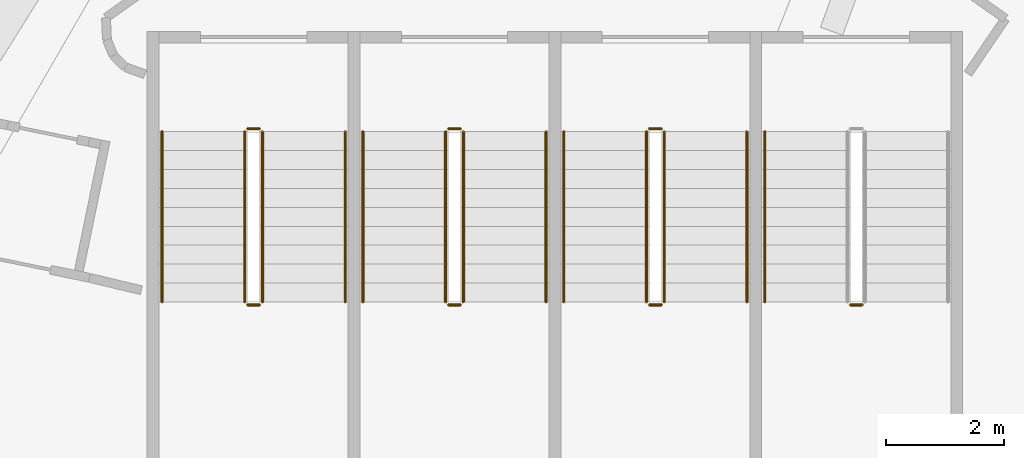
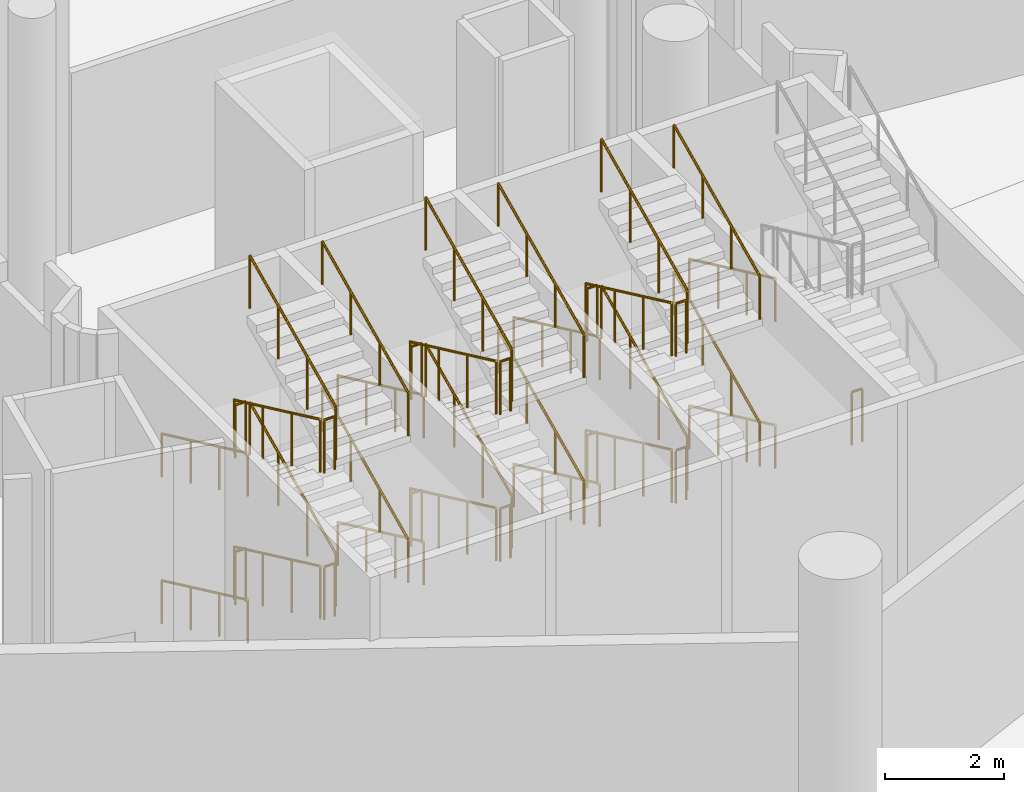
# One storey, part 205 of 249: 39 railings.
"""IFC4 building model written with IfcOpenShell, lengths in metres."""

from ifc_helpers import new_model, si_unit, direction, frame, origin, origin_2d, place, context, subcontext, project, spatial, circle, extrude, material, type_object, element, save


model = new_model("IFC4")

# Units and contexts
model_context = context("Model", 3, precision=1e-05, world=origin(), true_north=direction((0.0, 1.0)))
body_context = subcontext(model_context, "Body", "Model", "MODEL_VIEW")
ifc_project = project(units=[si_unit("LENGTHUNIT", "METRE"), si_unit("AREAUNIT", "SQUARE_METRE"), si_unit("VOLUMEUNIT", "CUBIC_METRE"), si_unit("PLANEANGLEUNIT", "RADIAN"), si_unit("MASSUNIT", "GRAM", prefix="KILO")], contexts=[model_context])

# Site, building, storey
site_placement = place(None, origin())
site = spatial("IfcSite", under=ifc_project, at=site_placement, CompositionType="ELEMENT")
building_placement = place(site_placement, origin())
building = spatial("IfcBuilding", under=site, at=building_placement, Name="Meseta Stadium", CompositionType="ELEMENT")
storey_placement = place(building_placement, frame((0.0, 0.0, 12.0)))
storey = spatial("IfcBuildingStorey", under=building, at=storey_placement, Name="L02", CompositionType="ELEMENT", Elevation=12.0)

# Railings
ifc_material_1 = material(Name="Steel S355", Category="steel")
railing_type_1 = type_object("IfcRailingType", Name="Stair guard 1100", PredefinedType="GUARDRAIL", material=ifc_material_1)
railing_1_placement = place(storey_placement, frame((-43.583251953125, -94.199951171875, 0.14990234375)))
element("IfcRailing", 1, at=railing_1_placement, inside=storey, type_object=railing_type_1, Name="ST89 L02 guard 1", PredefinedType="GUARDRAIL", context=body_context, shape_type="SweptSolid", body=[
    extrude(circle(Radius=0.02392578125, at=origin_2d()), frame((0.0, 0.0, 1.076171875), z_axis=(0.0, -0.905454327043, 0.424443708447), x_axis=(1.0, 0.0, 0.0)), (0.0, 0.0, 1.0), 3.180908203125),
    extrude(circle(Radius=0.02099609375, at=origin_2d()), origin(), (0.0, 0.0, 1.0), 1.052001953125),
    extrude(circle(Radius=0.02099609375, at=origin_2d()), frame((0.0, -0.9599609375, 0.449951171875)), (0.0, 0.0, 1.0), 1.052001953125),
    extrude(circle(Radius=0.02099609375, at=origin_2d()), frame((0.0, -1.920166015625, 0.900146484375)), (0.0, 0.0, 1.0), 1.052001953125),
    extrude(circle(Radius=0.02099609375, at=origin_2d()), frame((0.0, -2.880126953125, 1.35009765625)), (0.0, 0.0, 1.0), 1.052001953125),
])
railing_2_placement = place(storey_placement, frame((-43.533447265625, -97.1298828125, 1.5)))
element("IfcRailing", 2, at=railing_2_placement, inside=storey, type_object=railing_type_1, Name="ST89 L02 guard 2", PredefinedType="GUARDRAIL", context=body_context, shape_type="SweptSolid", body=[
    extrude(circle(Radius=0.02392578125, at=origin_2d()), frame((0.0, 0.0, 1.076171875), z_axis=(1.0, 0.0, 0.0), x_axis=(0.0, 1.0, 0.0)), (0.0, 0.0, 1.0), 0.2001953125),
    extrude(circle(Radius=0.02099609375, at=origin_2d()), origin(), (0.0, 0.0, 1.0), 1.052001953125),
    extrude(circle(Radius=0.02099609375, at=origin_2d()), frame((0.2001953125, 0.0, 0.0)), (0.0, 0.0, 1.0), 1.052001953125),
])
railing_3_placement = place(storey_placement, frame((-43.283447265625, -97.080078125, 1.64990234375)))
element("IfcRailing", 3, at=railing_3_placement, inside=storey, type_object=railing_type_1, Name="ST89 L02 guard 3", PredefinedType="GUARDRAIL", context=body_context, shape_type="SweptSolid", body=[
    extrude(circle(Radius=0.02392578125, at=origin_2d()), frame((0.0, 0.0, 1.076171875), z_axis=(0.0, 0.905454327043, 0.424443708447), x_axis=(-1.0, 0.0, 0.0)), (0.0, 0.0, 1.0), 3.180908203125),
    extrude(circle(Radius=0.02099609375, at=origin_2d()), origin(), (0.0, 0.0, 1.0), 1.052001953125),
    extrude(circle(Radius=0.02099609375, at=origin_2d()), frame((0.0, 0.9599609375, 0.449951171875)), (0.0, 0.0, 1.0), 1.052001953125),
    extrude(circle(Radius=0.02099609375, at=origin_2d()), frame((0.0, 1.920166015625, 0.900146484375)), (0.0, 0.0, 1.0), 1.052001953125),
    extrude(circle(Radius=0.02099609375, at=origin_2d()), frame((0.0, 2.880126953125, 1.35009765625)), (0.0, 0.0, 1.0), 1.052001953125),
])
railing_4_placement = place(storey_placement, frame((-43.533447265625, -94.14990234375, 3.0)))
element("IfcRailing", 4, at=railing_4_placement, inside=storey, type_object=railing_type_1, Name="ST89 L02 guard 4", PredefinedType="GUARDRAIL", context=body_context, shape_type="SweptSolid", body=[
    extrude(circle(Radius=0.02392578125, at=origin_2d()), frame((0.0, 0.0, 1.076171875), z_axis=(1.0, 0.0, 0.0), x_axis=(0.0, 1.0, 0.0)), (0.0, 0.0, 1.0), 0.2001953125),
    extrude(circle(Radius=0.02099609375, at=origin_2d()), origin(), (0.0, 0.0, 1.0), 1.052001953125),
    extrude(circle(Radius=0.02099609375, at=origin_2d()), frame((0.2001953125, 0.0, 0.0)), (0.0, 0.0, 1.0), 1.052001953125),
])
railing_5_placement = place(storey_placement, frame((-43.583251953125, -94.199951171875, 3.14990234375)))
element("IfcRailing", 5, at=railing_5_placement, inside=storey, type_object=railing_type_1, Name="ST89 L02 guard 5", PredefinedType="GUARDRAIL", context=body_context, shape_type="SweptSolid", body=[
    extrude(circle(Radius=0.02392578125, at=origin_2d()), frame((0.0, 0.0, 1.076171875), z_axis=(0.0, -0.905454327043, 0.424443708447), x_axis=(1.0, 0.0, 0.0)), (0.0, 0.0, 1.0), 3.180908203125),
    extrude(circle(Radius=0.02099609375, at=origin_2d()), origin(), (0.0, 0.0, 1.0), 1.052001953125),
    extrude(circle(Radius=0.02099609375, at=origin_2d()), frame((0.0, -0.9599609375, 0.449951171875)), (0.0, 0.0, 1.0), 1.052001953125),
    extrude(circle(Radius=0.02099609375, at=origin_2d()), frame((0.0, -1.920166015625, 0.900146484375)), (0.0, 0.0, 1.0), 1.052001953125),
    extrude(circle(Radius=0.02099609375, at=origin_2d()), frame((0.0, -2.880126953125, 1.35009765625)), (0.0, 0.0, 1.0), 1.052001953125),
])
railing_6_placement = place(storey_placement, frame((-43.533447265625, -97.1298828125, 4.5)))
element("IfcRailing", 6, at=railing_6_placement, inside=storey, type_object=railing_type_1, Name="ST89 L02 guard 6", PredefinedType="GUARDRAIL", context=body_context, shape_type="SweptSolid", body=[
    extrude(circle(Radius=0.02392578125, at=origin_2d()), frame((0.0, 0.0, 1.076171875), z_axis=(1.0, 0.0, 0.0), x_axis=(0.0, 1.0, 0.0)), (0.0, 0.0, 1.0), 0.2001953125),
    extrude(circle(Radius=0.02099609375, at=origin_2d()), origin(), (0.0, 0.0, 1.0), 1.052001953125),
    extrude(circle(Radius=0.02099609375, at=origin_2d()), frame((0.2001953125, 0.0, 0.0)), (0.0, 0.0, 1.0), 1.052001953125),
])
railing_7_placement = place(storey_placement, frame((-43.283447265625, -97.080078125, 4.64990234375)))
element("IfcRailing", 7, at=railing_7_placement, inside=storey, type_object=railing_type_1, Name="ST89 L02 guard 7", PredefinedType="GUARDRAIL", context=body_context, shape_type="SweptSolid", body=[
    extrude(circle(Radius=0.02392578125, at=origin_2d()), frame((0.0, 0.0, 1.076171875), z_axis=(0.0, 0.905454327043, 0.424443708447), x_axis=(-1.0, 0.0, 0.0)), (0.0, 0.0, 1.0), 3.180908203125),
    extrude(circle(Radius=0.02099609375, at=origin_2d()), origin(), (0.0, 0.0, 1.0), 1.052001953125),
    extrude(circle(Radius=0.02099609375, at=origin_2d()), frame((0.0, 0.9599609375, 0.449951171875)), (0.0, 0.0, 1.0), 1.052001953125),
    extrude(circle(Radius=0.02099609375, at=origin_2d()), frame((0.0, 1.920166015625, 0.900146484375)), (0.0, 0.0, 1.0), 1.052001953125),
    extrude(circle(Radius=0.02099609375, at=origin_2d()), frame((0.0, 2.880126953125, 1.35009765625)), (0.0, 0.0, 1.0), 1.052001953125),
])
railing_8_placement = place(storey_placement, frame((-43.533447265625, -94.14990234375, 0.0)))
element("IfcRailing", 8, at=railing_8_placement, inside=storey, type_object=railing_type_1, Name="ST89 L02 guard 8", PredefinedType="GUARDRAIL", context=body_context, shape_type="SweptSolid", body=[
    extrude(circle(Radius=0.02392578125, at=origin_2d()), frame((0.0, 0.0, 1.076171875), z_axis=(1.0, 0.0, 0.0), x_axis=(0.0, 1.0, 0.0)), (0.0, 0.0, 1.0), 0.2001953125),
    extrude(circle(Radius=0.02099609375, at=origin_2d()), origin(), (0.0, 0.0, 1.0), 1.052001953125),
    extrude(circle(Radius=0.02099609375, at=origin_2d()), frame((0.2001953125, 0.0, 0.0)), (0.0, 0.0, 1.0), 1.052001953125),
])
railing_9_placement = place(storey_placement, frame((-40.183349609375, -94.199951171875, 0.14990234375)))
element("IfcRailing", 9, at=railing_9_placement, inside=storey, type_object=railing_type_1, Name="ST90 L02 guard 1", PredefinedType="GUARDRAIL", context=body_context, shape_type="SweptSolid", body=[
    extrude(circle(Radius=0.02392578125, at=origin_2d()), frame((0.0, 0.0, 1.076171875), z_axis=(0.0, -0.905454327043, 0.424443708447), x_axis=(1.0, 0.0, 0.0)), (0.0, 0.0, 1.0), 3.180908203125),
    extrude(circle(Radius=0.02099609375, at=origin_2d()), origin(), (0.0, 0.0, 1.0), 1.052001953125),
    extrude(circle(Radius=0.02099609375, at=origin_2d()), frame((0.0, -0.9599609375, 0.449951171875)), (0.0, 0.0, 1.0), 1.052001953125),
    extrude(circle(Radius=0.02099609375, at=origin_2d()), frame((0.0, -1.920166015625, 0.900146484375)), (0.0, 0.0, 1.0), 1.052001953125),
    extrude(circle(Radius=0.02099609375, at=origin_2d()), frame((0.0, -2.880126953125, 1.35009765625)), (0.0, 0.0, 1.0), 1.052001953125),
])
railing_10_placement = place(storey_placement, frame((-40.13330078125, -97.1298828125, 1.5)))
element("IfcRailing", 10, at=railing_10_placement, inside=storey, type_object=railing_type_1, Name="ST90 L02 guard 2", PredefinedType="GUARDRAIL", context=body_context, shape_type="SweptSolid", body=[
    extrude(circle(Radius=0.02392578125, at=origin_2d()), frame((0.0, 0.0, 1.076171875), z_axis=(1.0, 0.0, 0.0), x_axis=(0.0, 1.0, 0.0)), (0.0, 0.0, 1.0), 0.199951171875),
    extrude(circle(Radius=0.02099609375, at=origin_2d()), origin(), (0.0, 0.0, 1.0), 1.052001953125),
    extrude(circle(Radius=0.02099609375, at=origin_2d()), frame((0.199951171875, 0.0, 0.0)), (0.0, 0.0, 1.0), 1.052001953125),
])
railing_11_placement = place(storey_placement, frame((-39.88330078125, -97.080078125, 1.64990234375)))
element("IfcRailing", 11, at=railing_11_placement, inside=storey, type_object=railing_type_1, Name="ST90 L02 guard 3", PredefinedType="GUARDRAIL", context=body_context, shape_type="SweptSolid", body=[
    extrude(circle(Radius=0.02392578125, at=origin_2d()), frame((0.0, 0.0, 1.076171875), z_axis=(0.0, 0.905454327043, 0.424443708447), x_axis=(-1.0, 0.0, 0.0)), (0.0, 0.0, 1.0), 3.180908203125),
    extrude(circle(Radius=0.02099609375, at=origin_2d()), origin(), (0.0, 0.0, 1.0), 1.052001953125),
    extrude(circle(Radius=0.02099609375, at=origin_2d()), frame((0.0, 0.9599609375, 0.449951171875)), (0.0, 0.0, 1.0), 1.052001953125),
    extrude(circle(Radius=0.02099609375, at=origin_2d()), frame((0.0, 1.920166015625, 0.900146484375)), (0.0, 0.0, 1.0), 1.052001953125),
    extrude(circle(Radius=0.02099609375, at=origin_2d()), frame((0.0, 2.880126953125, 1.35009765625)), (0.0, 0.0, 1.0), 1.052001953125),
])
railing_12_placement = place(storey_placement, frame((-40.13330078125, -94.14990234375, 3.0)))
element("IfcRailing", 12, at=railing_12_placement, inside=storey, type_object=railing_type_1, Name="ST90 L02 guard 4", PredefinedType="GUARDRAIL", context=body_context, shape_type="SweptSolid", body=[
    extrude(circle(Radius=0.02392578125, at=origin_2d()), frame((0.0, 0.0, 1.076171875), z_axis=(1.0, 0.0, 0.0), x_axis=(0.0, 1.0, 0.0)), (0.0, 0.0, 1.0), 0.199951171875),
    extrude(circle(Radius=0.02099609375, at=origin_2d()), origin(), (0.0, 0.0, 1.0), 1.052001953125),
    extrude(circle(Radius=0.02099609375, at=origin_2d()), frame((0.199951171875, 0.0, 0.0)), (0.0, 0.0, 1.0), 1.052001953125),
])
railing_13_placement = place(storey_placement, frame((-40.183349609375, -94.199951171875, 3.14990234375)))
element("IfcRailing", 13, at=railing_13_placement, inside=storey, type_object=railing_type_1, Name="ST90 L02 guard 5", PredefinedType="GUARDRAIL", context=body_context, shape_type="SweptSolid", body=[
    extrude(circle(Radius=0.02392578125, at=origin_2d()), frame((0.0, 0.0, 1.076171875), z_axis=(0.0, -0.905454327043, 0.424443708447), x_axis=(1.0, 0.0, 0.0)), (0.0, 0.0, 1.0), 3.180908203125),
    extrude(circle(Radius=0.02099609375, at=origin_2d()), origin(), (0.0, 0.0, 1.0), 1.052001953125),
    extrude(circle(Radius=0.02099609375, at=origin_2d()), frame((0.0, -0.9599609375, 0.449951171875)), (0.0, 0.0, 1.0), 1.052001953125),
    extrude(circle(Radius=0.02099609375, at=origin_2d()), frame((0.0, -1.920166015625, 0.900146484375)), (0.0, 0.0, 1.0), 1.052001953125),
    extrude(circle(Radius=0.02099609375, at=origin_2d()), frame((0.0, -2.880126953125, 1.35009765625)), (0.0, 0.0, 1.0), 1.052001953125),
])
railing_14_placement = place(storey_placement, frame((-40.13330078125, -97.1298828125, 4.5)))
element("IfcRailing", 14, at=railing_14_placement, inside=storey, type_object=railing_type_1, Name="ST90 L02 guard 6", PredefinedType="GUARDRAIL", context=body_context, shape_type="SweptSolid", body=[
    extrude(circle(Radius=0.02392578125, at=origin_2d()), frame((0.0, 0.0, 1.076171875), z_axis=(1.0, 0.0, 0.0), x_axis=(0.0, 1.0, 0.0)), (0.0, 0.0, 1.0), 0.199951171875),
    extrude(circle(Radius=0.02099609375, at=origin_2d()), origin(), (0.0, 0.0, 1.0), 1.052001953125),
    extrude(circle(Radius=0.02099609375, at=origin_2d()), frame((0.199951171875, 0.0, 0.0)), (0.0, 0.0, 1.0), 1.052001953125),
])
railing_15_placement = place(storey_placement, frame((-39.88330078125, -97.080078125, 4.64990234375)))
element("IfcRailing", 15, at=railing_15_placement, inside=storey, type_object=railing_type_1, Name="ST90 L02 guard 7", PredefinedType="GUARDRAIL", context=body_context, shape_type="SweptSolid", body=[
    extrude(circle(Radius=0.02392578125, at=origin_2d()), frame((0.0, 0.0, 1.076171875), z_axis=(0.0, 0.905454327043, 0.424443708447), x_axis=(-1.0, 0.0, 0.0)), (0.0, 0.0, 1.0), 3.180908203125),
    extrude(circle(Radius=0.02099609375, at=origin_2d()), origin(), (0.0, 0.0, 1.0), 1.052001953125),
    extrude(circle(Radius=0.02099609375, at=origin_2d()), frame((0.0, 0.9599609375, 0.449951171875)), (0.0, 0.0, 1.0), 1.052001953125),
    extrude(circle(Radius=0.02099609375, at=origin_2d()), frame((0.0, 1.920166015625, 0.900146484375)), (0.0, 0.0, 1.0), 1.052001953125),
    extrude(circle(Radius=0.02099609375, at=origin_2d()), frame((0.0, 2.880126953125, 1.35009765625)), (0.0, 0.0, 1.0), 1.052001953125),
])
railing_16_placement = place(storey_placement, frame((-40.13330078125, -94.14990234375, 0.0)))
element("IfcRailing", 16, at=railing_16_placement, inside=storey, type_object=railing_type_1, Name="ST90 L02 guard 8", PredefinedType="GUARDRAIL", context=body_context, shape_type="SweptSolid", body=[
    extrude(circle(Radius=0.02392578125, at=origin_2d()), frame((0.0, 0.0, 1.076171875), z_axis=(1.0, 0.0, 0.0), x_axis=(0.0, 1.0, 0.0)), (0.0, 0.0, 1.0), 0.199951171875),
    extrude(circle(Radius=0.02099609375, at=origin_2d()), origin(), (0.0, 0.0, 1.0), 1.052001953125),
    extrude(circle(Radius=0.02099609375, at=origin_2d()), frame((0.199951171875, 0.0, 0.0)), (0.0, 0.0, 1.0), 1.052001953125),
])
railing_17_placement = place(storey_placement, frame((-36.783447265625, -94.199951171875, 0.14990234375)))
element("IfcRailing", 17, at=railing_17_placement, inside=storey, type_object=railing_type_1, Name="ST91 L02 guard 1", PredefinedType="GUARDRAIL", context=body_context, shape_type="SweptSolid", body=[
    extrude(circle(Radius=0.02392578125, at=origin_2d()), frame((0.0, 0.0, 1.076171875), z_axis=(0.0, -0.905454327043, 0.424443708447), x_axis=(1.0, 0.0, 0.0)), (0.0, 0.0, 1.0), 3.180908203125),
    extrude(circle(Radius=0.02099609375, at=origin_2d()), origin(), (0.0, 0.0, 1.0), 1.052001953125),
    extrude(circle(Radius=0.02099609375, at=origin_2d()), frame((0.0, -0.9599609375, 0.449951171875)), (0.0, 0.0, 1.0), 1.052001953125),
    extrude(circle(Radius=0.02099609375, at=origin_2d()), frame((0.0, -1.920166015625, 0.900146484375)), (0.0, 0.0, 1.0), 1.052001953125),
    extrude(circle(Radius=0.02099609375, at=origin_2d()), frame((0.0, -2.880126953125, 1.35009765625)), (0.0, 0.0, 1.0), 1.052001953125),
])
railing_18_placement = place(storey_placement, frame((-36.7333984375, -97.1298828125, 1.5)))
element("IfcRailing", 18, at=railing_18_placement, inside=storey, type_object=railing_type_1, Name="ST91 L02 guard 2", PredefinedType="GUARDRAIL", context=body_context, shape_type="SweptSolid", body=[
    extrude(circle(Radius=0.02392578125, at=origin_2d()), frame((0.0, 0.0, 1.076171875), z_axis=(1.0, 0.0, 0.0), x_axis=(0.0, 1.0, 0.0)), (0.0, 0.0, 1.0), 0.199951171875),
    extrude(circle(Radius=0.02099609375, at=origin_2d()), origin(), (0.0, 0.0, 1.0), 1.052001953125),
    extrude(circle(Radius=0.02099609375, at=origin_2d()), frame((0.199951171875, 0.0, 0.0)), (0.0, 0.0, 1.0), 1.052001953125),
])
railing_19_placement = place(storey_placement, frame((-36.4833984375, -97.080078125, 1.64990234375)))
element("IfcRailing", 19, at=railing_19_placement, inside=storey, type_object=railing_type_1, Name="ST91 L02 guard 3", PredefinedType="GUARDRAIL", context=body_context, shape_type="SweptSolid", body=[
    extrude(circle(Radius=0.02392578125, at=origin_2d()), frame((0.0, 0.0, 1.076171875), z_axis=(0.0, 0.905454327043, 0.424443708447), x_axis=(-1.0, 0.0, 0.0)), (0.0, 0.0, 1.0), 3.180908203125),
    extrude(circle(Radius=0.02099609375, at=origin_2d()), origin(), (0.0, 0.0, 1.0), 1.052001953125),
    extrude(circle(Radius=0.02099609375, at=origin_2d()), frame((0.0, 0.9599609375, 0.449951171875)), (0.0, 0.0, 1.0), 1.052001953125),
    extrude(circle(Radius=0.02099609375, at=origin_2d()), frame((0.0, 1.920166015625, 0.900146484375)), (0.0, 0.0, 1.0), 1.052001953125),
    extrude(circle(Radius=0.02099609375, at=origin_2d()), frame((0.0, 2.880126953125, 1.35009765625)), (0.0, 0.0, 1.0), 1.052001953125),
])
railing_20_placement = place(storey_placement, frame((-36.7333984375, -94.14990234375, 3.0)))
element("IfcRailing", 20, at=railing_20_placement, inside=storey, type_object=railing_type_1, Name="ST91 L02 guard 4", PredefinedType="GUARDRAIL", context=body_context, shape_type="SweptSolid", body=[
    extrude(circle(Radius=0.02392578125, at=origin_2d()), frame((0.0, 0.0, 1.076171875), z_axis=(1.0, 0.0, 0.0), x_axis=(0.0, 1.0, 0.0)), (0.0, 0.0, 1.0), 0.199951171875),
    extrude(circle(Radius=0.02099609375, at=origin_2d()), origin(), (0.0, 0.0, 1.0), 1.052001953125),
    extrude(circle(Radius=0.02099609375, at=origin_2d()), frame((0.199951171875, 0.0, 0.0)), (0.0, 0.0, 1.0), 1.052001953125),
])
railing_21_placement = place(storey_placement, frame((-36.783447265625, -94.199951171875, 3.14990234375)))
element("IfcRailing", 21, at=railing_21_placement, inside=storey, type_object=railing_type_1, Name="ST91 L02 guard 5", PredefinedType="GUARDRAIL", context=body_context, shape_type="SweptSolid", body=[
    extrude(circle(Radius=0.02392578125, at=origin_2d()), frame((0.0, 0.0, 1.076171875), z_axis=(0.0, -0.905454327043, 0.424443708447), x_axis=(1.0, 0.0, 0.0)), (0.0, 0.0, 1.0), 3.180908203125),
    extrude(circle(Radius=0.02099609375, at=origin_2d()), origin(), (0.0, 0.0, 1.0), 1.052001953125),
    extrude(circle(Radius=0.02099609375, at=origin_2d()), frame((0.0, -0.9599609375, 0.449951171875)), (0.0, 0.0, 1.0), 1.052001953125),
    extrude(circle(Radius=0.02099609375, at=origin_2d()), frame((0.0, -1.920166015625, 0.900146484375)), (0.0, 0.0, 1.0), 1.052001953125),
    extrude(circle(Radius=0.02099609375, at=origin_2d()), frame((0.0, -2.880126953125, 1.35009765625)), (0.0, 0.0, 1.0), 1.052001953125),
])
railing_22_placement = place(storey_placement, frame((-36.7333984375, -97.1298828125, 4.5)))
element("IfcRailing", 22, at=railing_22_placement, inside=storey, type_object=railing_type_1, Name="ST91 L02 guard 6", PredefinedType="GUARDRAIL", context=body_context, shape_type="SweptSolid", body=[
    extrude(circle(Radius=0.02392578125, at=origin_2d()), frame((0.0, 0.0, 1.076171875), z_axis=(1.0, 0.0, 0.0), x_axis=(0.0, 1.0, 0.0)), (0.0, 0.0, 1.0), 0.199951171875),
    extrude(circle(Radius=0.02099609375, at=origin_2d()), origin(), (0.0, 0.0, 1.0), 1.052001953125),
    extrude(circle(Radius=0.02099609375, at=origin_2d()), frame((0.199951171875, 0.0, 0.0)), (0.0, 0.0, 1.0), 1.052001953125),
])
railing_23_placement = place(storey_placement, frame((-36.4833984375, -97.080078125, 4.64990234375)))
element("IfcRailing", 23, at=railing_23_placement, inside=storey, type_object=railing_type_1, Name="ST91 L02 guard 7", PredefinedType="GUARDRAIL", context=body_context, shape_type="SweptSolid", body=[
    extrude(circle(Radius=0.02392578125, at=origin_2d()), frame((0.0, 0.0, 1.076171875), z_axis=(0.0, 0.905454327043, 0.424443708447), x_axis=(-1.0, 0.0, 0.0)), (0.0, 0.0, 1.0), 3.180908203125),
    extrude(circle(Radius=0.02099609375, at=origin_2d()), origin(), (0.0, 0.0, 1.0), 1.052001953125),
    extrude(circle(Radius=0.02099609375, at=origin_2d()), frame((0.0, 0.9599609375, 0.449951171875)), (0.0, 0.0, 1.0), 1.052001953125),
    extrude(circle(Radius=0.02099609375, at=origin_2d()), frame((0.0, 1.920166015625, 0.900146484375)), (0.0, 0.0, 1.0), 1.052001953125),
    extrude(circle(Radius=0.02099609375, at=origin_2d()), frame((0.0, 2.880126953125, 1.35009765625)), (0.0, 0.0, 1.0), 1.052001953125),
])
for number, where, name in (
    (24, (-36.7333984375, -94.14990234375, 0.0), "ST91 L02 guard 8"),
    (25, (-33.333251953125, -97.1298828125, 1.5), "ST92 L02 guard 2"),
):
    element("IfcRailing", number, at=place(storey_placement, frame(where)), inside=storey, type_object=railing_type_1, Name=name, PredefinedType="GUARDRAIL", context=body_context, shape_type="SweptSolid", body=[
        extrude(circle(Radius=0.02392578125, at=origin_2d()), frame((0.0, 0.0, 1.076171875), z_axis=(1.0, 0.0, 0.0), x_axis=(0.0, 1.0, 0.0)), (0.0, 0.0, 1.0), 0.199951171875),
        extrude(circle(Radius=0.02099609375, at=origin_2d()), origin(), (0.0, 0.0, 1.0), 1.052001953125),
        extrude(circle(Radius=0.02099609375, at=origin_2d()), frame((0.199951171875, 0.0, 0.0)), (0.0, 0.0, 1.0), 1.052001953125),
    ])
ifc_material_2 = material(Name="Steel S355", Category="steel")
railing_type_2 = type_object("IfcRailingType", Name="Stair handrail 900", PredefinedType="HANDRAIL", material=ifc_material_2)
railing_24_placement = place(storey_placement, frame((-44.9833984375, -94.199951171875, 0.14990234375)))
element("IfcRailing", 26, at=railing_24_placement, inside=storey, type_object=railing_type_2, Name="ST89 L02 handrail 1", PredefinedType="HANDRAIL", context=body_context, shape_type="SweptSolid", body=[
    extrude(circle(Radius=0.02392578125, at=origin_2d()), frame((0.0, 0.0, 0.8759765625), z_axis=(0.0, -0.905454327043, 0.424443708447), x_axis=(1.0, 0.0, 0.0)), (0.0, 0.0, 1.0), 3.180908203125),
    extrude(circle(Radius=0.02099609375, at=origin_2d()), origin(), (0.0, 0.0, 1.0), 0.851806640625),
    extrude(circle(Radius=0.02099609375, at=origin_2d()), frame((0.0, -0.9599609375, 0.449951171875)), (0.0, 0.0, 1.0), 0.851806640625),
    extrude(circle(Radius=0.02099609375, at=origin_2d()), frame((0.0, -1.920166015625, 0.900146484375)), (0.0, 0.0, 1.0), 0.851806640625),
    extrude(circle(Radius=0.02099609375, at=origin_2d()), frame((0.0, -2.880126953125, 1.35009765625)), (0.0, 0.0, 1.0), 0.851806640625),
])
railing_25_placement = place(storey_placement, frame((-41.88330078125, -97.080078125, 1.64990234375)))
element("IfcRailing", 27, at=railing_25_placement, inside=storey, type_object=railing_type_2, Name="ST89 L02 handrail 2", PredefinedType="HANDRAIL", context=body_context, shape_type="SweptSolid", body=[
    extrude(circle(Radius=0.02392578125, at=origin_2d()), frame((0.0, 0.0, 0.8759765625), z_axis=(0.0, 0.905454327043, 0.424443708447), x_axis=(-1.0, 0.0, 0.0)), (0.0, 0.0, 1.0), 3.180908203125),
    extrude(circle(Radius=0.02099609375, at=origin_2d()), origin(), (0.0, 0.0, 1.0), 0.851806640625),
    extrude(circle(Radius=0.02099609375, at=origin_2d()), frame((0.0, 0.9599609375, 0.449951171875)), (0.0, 0.0, 1.0), 0.851806640625),
    extrude(circle(Radius=0.02099609375, at=origin_2d()), frame((0.0, 1.920166015625, 0.900146484375)), (0.0, 0.0, 1.0), 0.851806640625),
    extrude(circle(Radius=0.02099609375, at=origin_2d()), frame((0.0, 2.880126953125, 1.35009765625)), (0.0, 0.0, 1.0), 0.851806640625),
])
railing_26_placement = place(storey_placement, frame((-44.9833984375, -94.199951171875, 3.14990234375)))
element("IfcRailing", 28, at=railing_26_placement, inside=storey, type_object=railing_type_2, Name="ST89 L02 handrail 3", PredefinedType="HANDRAIL", context=body_context, shape_type="SweptSolid", body=[
    extrude(circle(Radius=0.02392578125, at=origin_2d()), frame((0.0, 0.0, 0.8759765625), z_axis=(0.0, -0.905454327043, 0.424443708447), x_axis=(1.0, 0.0, 0.0)), (0.0, 0.0, 1.0), 3.180908203125),
    extrude(circle(Radius=0.02099609375, at=origin_2d()), origin(), (0.0, 0.0, 1.0), 0.851806640625),
    extrude(circle(Radius=0.02099609375, at=origin_2d()), frame((0.0, -0.9599609375, 0.449951171875)), (0.0, 0.0, 1.0), 0.851806640625),
    extrude(circle(Radius=0.02099609375, at=origin_2d()), frame((0.0, -1.920166015625, 0.900146484375)), (0.0, 0.0, 1.0), 0.851806640625),
    extrude(circle(Radius=0.02099609375, at=origin_2d()), frame((0.0, -2.880126953125, 1.35009765625)), (0.0, 0.0, 1.0), 0.851806640625),
])
railing_27_placement = place(storey_placement, frame((-41.88330078125, -97.080078125, 4.64990234375)))
element("IfcRailing", 29, at=railing_27_placement, inside=storey, type_object=railing_type_2, Name="ST89 L02 handrail 4", PredefinedType="HANDRAIL", context=body_context, shape_type="SweptSolid", body=[
    extrude(circle(Radius=0.02392578125, at=origin_2d()), frame((0.0, 0.0, 0.8759765625), z_axis=(0.0, 0.905454327043, 0.424443708447), x_axis=(-1.0, 0.0, 0.0)), (0.0, 0.0, 1.0), 3.180908203125),
    extrude(circle(Radius=0.02099609375, at=origin_2d()), origin(), (0.0, 0.0, 1.0), 0.851806640625),
    extrude(circle(Radius=0.02099609375, at=origin_2d()), frame((0.0, 0.9599609375, 0.449951171875)), (0.0, 0.0, 1.0), 0.851806640625),
    extrude(circle(Radius=0.02099609375, at=origin_2d()), frame((0.0, 1.920166015625, 0.900146484375)), (0.0, 0.0, 1.0), 0.851806640625),
    extrude(circle(Radius=0.02099609375, at=origin_2d()), frame((0.0, 2.880126953125, 1.35009765625)), (0.0, 0.0, 1.0), 0.851806640625),
])
railing_28_placement = place(storey_placement, frame((-41.583251953125, -94.199951171875, 0.14990234375)))
element("IfcRailing", 30, at=railing_28_placement, inside=storey, type_object=railing_type_2, Name="ST90 L02 handrail 1", PredefinedType="HANDRAIL", context=body_context, shape_type="SweptSolid", body=[
    extrude(circle(Radius=0.02392578125, at=origin_2d()), frame((0.0, 0.0, 0.8759765625), z_axis=(0.0, -0.905454327043, 0.424443708447), x_axis=(1.0, 0.0, 0.0)), (0.0, 0.0, 1.0), 3.180908203125),
    extrude(circle(Radius=0.02099609375, at=origin_2d()), origin(), (0.0, 0.0, 1.0), 0.851806640625),
    extrude(circle(Radius=0.02099609375, at=origin_2d()), frame((0.0, -0.9599609375, 0.449951171875)), (0.0, 0.0, 1.0), 0.851806640625),
    extrude(circle(Radius=0.02099609375, at=origin_2d()), frame((0.0, -1.920166015625, 0.900146484375)), (0.0, 0.0, 1.0), 0.851806640625),
    extrude(circle(Radius=0.02099609375, at=origin_2d()), frame((0.0, -2.880126953125, 1.35009765625)), (0.0, 0.0, 1.0), 0.851806640625),
])
railing_29_placement = place(storey_placement, frame((-38.4833984375, -97.080078125, 1.64990234375)))
element("IfcRailing", 31, at=railing_29_placement, inside=storey, type_object=railing_type_2, Name="ST90 L02 handrail 2", PredefinedType="HANDRAIL", context=body_context, shape_type="SweptSolid", body=[
    extrude(circle(Radius=0.02392578125, at=origin_2d()), frame((0.0, 0.0, 0.8759765625), z_axis=(0.0, 0.905454327043, 0.424443708447), x_axis=(-1.0, 0.0, 0.0)), (0.0, 0.0, 1.0), 3.180908203125),
    extrude(circle(Radius=0.02099609375, at=origin_2d()), origin(), (0.0, 0.0, 1.0), 0.851806640625),
    extrude(circle(Radius=0.02099609375, at=origin_2d()), frame((0.0, 0.9599609375, 0.449951171875)), (0.0, 0.0, 1.0), 0.851806640625),
    extrude(circle(Radius=0.02099609375, at=origin_2d()), frame((0.0, 1.920166015625, 0.900146484375)), (0.0, 0.0, 1.0), 0.851806640625),
    extrude(circle(Radius=0.02099609375, at=origin_2d()), frame((0.0, 2.880126953125, 1.35009765625)), (0.0, 0.0, 1.0), 0.851806640625),
])
railing_30_placement = place(storey_placement, frame((-41.583251953125, -94.199951171875, 3.14990234375)))
element("IfcRailing", 32, at=railing_30_placement, inside=storey, type_object=railing_type_2, Name="ST90 L02 handrail 3", PredefinedType="HANDRAIL", context=body_context, shape_type="SweptSolid", body=[
    extrude(circle(Radius=0.02392578125, at=origin_2d()), frame((0.0, 0.0, 0.8759765625), z_axis=(0.0, -0.905454327043, 0.424443708447), x_axis=(1.0, 0.0, 0.0)), (0.0, 0.0, 1.0), 3.180908203125),
    extrude(circle(Radius=0.02099609375, at=origin_2d()), origin(), (0.0, 0.0, 1.0), 0.851806640625),
    extrude(circle(Radius=0.02099609375, at=origin_2d()), frame((0.0, -0.9599609375, 0.449951171875)), (0.0, 0.0, 1.0), 0.851806640625),
    extrude(circle(Radius=0.02099609375, at=origin_2d()), frame((0.0, -1.920166015625, 0.900146484375)), (0.0, 0.0, 1.0), 0.851806640625),
    extrude(circle(Radius=0.02099609375, at=origin_2d()), frame((0.0, -2.880126953125, 1.35009765625)), (0.0, 0.0, 1.0), 0.851806640625),
])
railing_31_placement = place(storey_placement, frame((-38.4833984375, -97.080078125, 4.64990234375)))
element("IfcRailing", 33, at=railing_31_placement, inside=storey, type_object=railing_type_2, Name="ST90 L02 handrail 4", PredefinedType="HANDRAIL", context=body_context, shape_type="SweptSolid", body=[
    extrude(circle(Radius=0.02392578125, at=origin_2d()), frame((0.0, 0.0, 0.8759765625), z_axis=(0.0, 0.905454327043, 0.424443708447), x_axis=(-1.0, 0.0, 0.0)), (0.0, 0.0, 1.0), 3.180908203125),
    extrude(circle(Radius=0.02099609375, at=origin_2d()), origin(), (0.0, 0.0, 1.0), 0.851806640625),
    extrude(circle(Radius=0.02099609375, at=origin_2d()), frame((0.0, 0.9599609375, 0.449951171875)), (0.0, 0.0, 1.0), 0.851806640625),
    extrude(circle(Radius=0.02099609375, at=origin_2d()), frame((0.0, 1.920166015625, 0.900146484375)), (0.0, 0.0, 1.0), 0.851806640625),
    extrude(circle(Radius=0.02099609375, at=origin_2d()), frame((0.0, 2.880126953125, 1.35009765625)), (0.0, 0.0, 1.0), 0.851806640625),
])
railing_32_placement = place(storey_placement, frame((-38.183349609375, -94.199951171875, 0.14990234375)))
element("IfcRailing", 34, at=railing_32_placement, inside=storey, type_object=railing_type_2, Name="ST91 L02 handrail 1", PredefinedType="HANDRAIL", context=body_context, shape_type="SweptSolid", body=[
    extrude(circle(Radius=0.02392578125, at=origin_2d()), frame((0.0, 0.0, 0.8759765625), z_axis=(0.0, -0.905454327043, 0.424443708447), x_axis=(1.0, 0.0, 0.0)), (0.0, 0.0, 1.0), 3.180908203125),
    extrude(circle(Radius=0.02099609375, at=origin_2d()), origin(), (0.0, 0.0, 1.0), 0.851806640625),
    extrude(circle(Radius=0.02099609375, at=origin_2d()), frame((0.0, -0.9599609375, 0.449951171875)), (0.0, 0.0, 1.0), 0.851806640625),
    extrude(circle(Radius=0.02099609375, at=origin_2d()), frame((0.0, -1.920166015625, 0.900146484375)), (0.0, 0.0, 1.0), 0.851806640625),
    extrude(circle(Radius=0.02099609375, at=origin_2d()), frame((0.0, -2.880126953125, 1.35009765625)), (0.0, 0.0, 1.0), 0.851806640625),
])
railing_33_placement = place(storey_placement, frame((-35.083251953125, -97.080078125, 1.64990234375)))
element("IfcRailing", 35, at=railing_33_placement, inside=storey, type_object=railing_type_2, Name="ST91 L02 handrail 2", PredefinedType="HANDRAIL", context=body_context, shape_type="SweptSolid", body=[
    extrude(circle(Radius=0.02392578125, at=origin_2d()), frame((0.0, 0.0, 0.8759765625), z_axis=(0.0, 0.905454327043, 0.424443708447), x_axis=(-1.0, 0.0, 0.0)), (0.0, 0.0, 1.0), 3.180908203125),
    extrude(circle(Radius=0.02099609375, at=origin_2d()), origin(), (0.0, 0.0, 1.0), 0.851806640625),
    extrude(circle(Radius=0.02099609375, at=origin_2d()), frame((0.0, 0.9599609375, 0.449951171875)), (0.0, 0.0, 1.0), 0.851806640625),
    extrude(circle(Radius=0.02099609375, at=origin_2d()), frame((0.0, 1.920166015625, 0.900146484375)), (0.0, 0.0, 1.0), 0.851806640625),
    extrude(circle(Radius=0.02099609375, at=origin_2d()), frame((0.0, 2.880126953125, 1.35009765625)), (0.0, 0.0, 1.0), 0.851806640625),
])
railing_34_placement = place(storey_placement, frame((-38.183349609375, -94.199951171875, 3.14990234375)))
element("IfcRailing", 36, at=railing_34_placement, inside=storey, type_object=railing_type_2, Name="ST91 L02 handrail 3", PredefinedType="HANDRAIL", context=body_context, shape_type="SweptSolid", body=[
    extrude(circle(Radius=0.02392578125, at=origin_2d()), frame((0.0, 0.0, 0.8759765625), z_axis=(0.0, -0.905454327043, 0.424443708447), x_axis=(1.0, 0.0, 0.0)), (0.0, 0.0, 1.0), 3.180908203125),
    extrude(circle(Radius=0.02099609375, at=origin_2d()), origin(), (0.0, 0.0, 1.0), 0.851806640625),
    extrude(circle(Radius=0.02099609375, at=origin_2d()), frame((0.0, -0.9599609375, 0.449951171875)), (0.0, 0.0, 1.0), 0.851806640625),
    extrude(circle(Radius=0.02099609375, at=origin_2d()), frame((0.0, -1.920166015625, 0.900146484375)), (0.0, 0.0, 1.0), 0.851806640625),
    extrude(circle(Radius=0.02099609375, at=origin_2d()), frame((0.0, -2.880126953125, 1.35009765625)), (0.0, 0.0, 1.0), 0.851806640625),
])
railing_35_placement = place(storey_placement, frame((-35.083251953125, -97.080078125, 4.64990234375)))
element("IfcRailing", 37, at=railing_35_placement, inside=storey, type_object=railing_type_2, Name="ST91 L02 handrail 4", PredefinedType="HANDRAIL", context=body_context, shape_type="SweptSolid", body=[
    extrude(circle(Radius=0.02392578125, at=origin_2d()), frame((0.0, 0.0, 0.8759765625), z_axis=(0.0, 0.905454327043, 0.424443708447), x_axis=(-1.0, 0.0, 0.0)), (0.0, 0.0, 1.0), 3.180908203125),
    extrude(circle(Radius=0.02099609375, at=origin_2d()), origin(), (0.0, 0.0, 1.0), 0.851806640625),
    extrude(circle(Radius=0.02099609375, at=origin_2d()), frame((0.0, 0.9599609375, 0.449951171875)), (0.0, 0.0, 1.0), 0.851806640625),
    extrude(circle(Radius=0.02099609375, at=origin_2d()), frame((0.0, 1.920166015625, 0.900146484375)), (0.0, 0.0, 1.0), 0.851806640625),
    extrude(circle(Radius=0.02099609375, at=origin_2d()), frame((0.0, 2.880126953125, 1.35009765625)), (0.0, 0.0, 1.0), 0.851806640625),
])
for number, where, name in (
    (38, (-34.783447265625, -94.199951171875, 0.14990234375), "ST92 L02 handrail 1"),
    (39, (-34.783447265625, -94.199951171875, 3.14990234375), "ST92 L02 handrail 3"),
):
    element("IfcRailing", number, at=place(storey_placement, frame(where)), inside=storey, type_object=railing_type_2, Name=name, PredefinedType="HANDRAIL", context=body_context, shape_type="SweptSolid", body=[
        extrude(circle(Radius=0.02392578125, at=origin_2d()), frame((0.0, 0.0, 0.8759765625), z_axis=(0.0, -0.905454327043, 0.424443708447), x_axis=(1.0, 0.0, 0.0)), (0.0, 0.0, 1.0), 3.180908203125),
        extrude(circle(Radius=0.02099609375, at=origin_2d()), origin(), (0.0, 0.0, 1.0), 0.851806640625),
        extrude(circle(Radius=0.02099609375, at=origin_2d()), frame((0.0, -0.9599609375, 0.449951171875)), (0.0, 0.0, 1.0), 0.851806640625),
        extrude(circle(Radius=0.02099609375, at=origin_2d()), frame((0.0, -1.920166015625, 0.900146484375)), (0.0, 0.0, 1.0), 0.851806640625),
        extrude(circle(Radius=0.02099609375, at=origin_2d()), frame((0.0, -2.880126953125, 1.35009765625)), (0.0, 0.0, 1.0), 0.851806640625),
    ])

save(model, "model.ifc")
